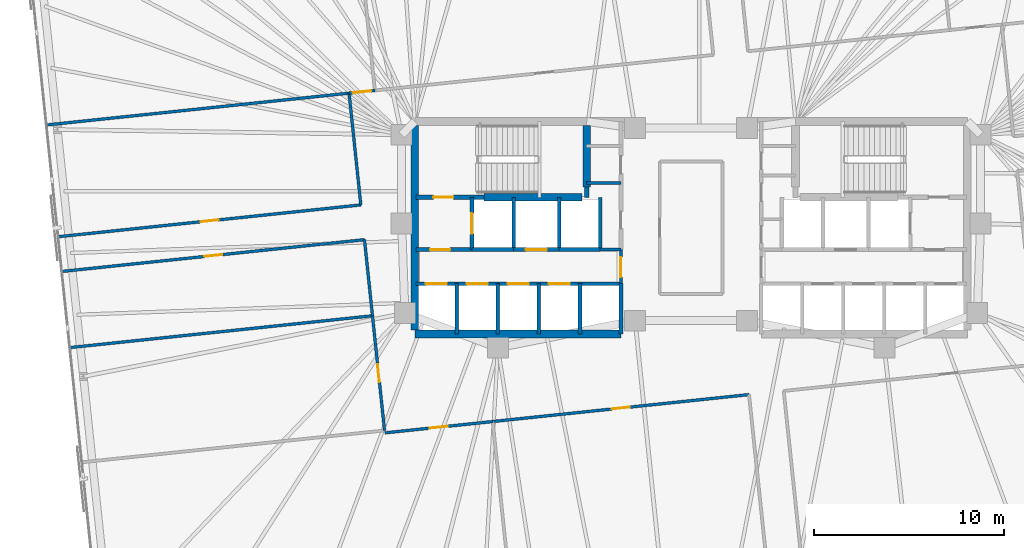
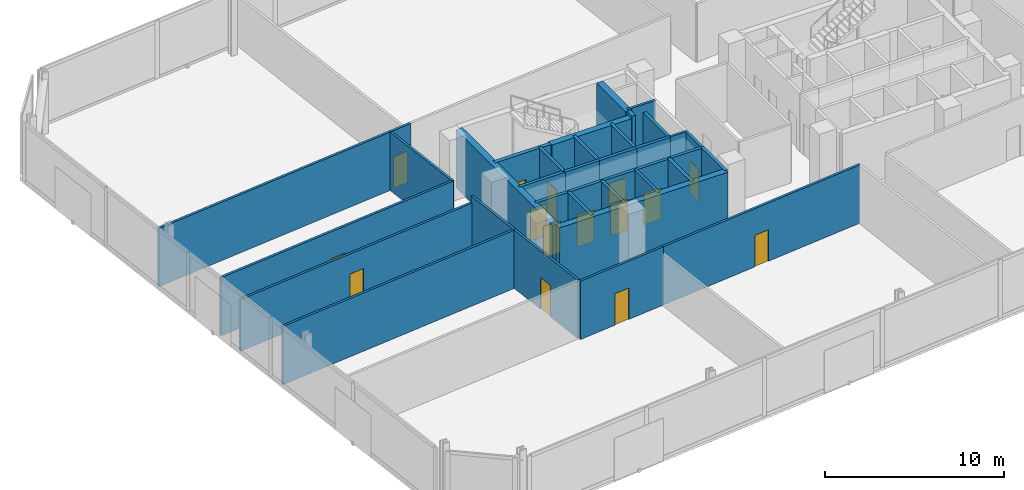
# One storey, part 12 of 16: 33 walls, 15 doors, 15 openings.
"""IFC4 building model written with IfcOpenShell, lengths in metres."""

from ifc_helpers import new_model, si_unit, direction, frame, frame_2d, origin, place, context, subcontext, project, spatial, rectangle, extrude, material, layer, layer_set, type_object, element, fill, save


model = new_model("IFC4")

# Units and contexts
model_context = context("Model", 3, precision=1e-05, world=origin(), true_north=direction((0.0, 1.0)))
body_context = subcontext(model_context, "Body", "Model", "MODEL_VIEW")
ifc_project = project(units=[si_unit("LENGTHUNIT", "METRE"), si_unit("AREAUNIT", "SQUARE_METRE"), si_unit("VOLUMEUNIT", "CUBIC_METRE"), si_unit("PLANEANGLEUNIT", "RADIAN"), si_unit("MASSUNIT", "GRAM", prefix="KILO")], contexts=[model_context])

# Site, building, storey
site_placement = place(None, origin())
site = spatial("IfcSite", under=ifc_project, at=site_placement, CompositionType="ELEMENT")
building_placement = place(site_placement, origin())
building = spatial("IfcBuilding", under=site, at=building_placement, Name="Menara Jurai Vektor", CompositionType="ELEMENT")
storey_placement = place(building_placement, frame((0.0, 0.0, 83.199951171875)))
storey = spatial("IfcBuildingStorey", under=building, at=storey_placement, Name="L20", CompositionType="ELEMENT", Elevation=83.199951171875)

# Wall, opening, door
ifc_material_1 = material(Name="Concrete C40/50", Category="concrete")
ifc_layer_1 = layer(ifc_material_1, 0.25)
ifc_layer_set_1 = layer_set([ifc_layer_1], Name="Concrete C40/50")
wall_type_1 = type_object("IfcWallType", Name="INT-WALL-CORE-250", PredefinedType="STANDARD", material=ifc_layer_set_1)
wall_1_placement = place(storey_placement, frame((-14.5, 1.60009765625, 0.0), z_axis=(0.0, 0.0, 1.0), x_axis=(1.0, 0.0, 0.0)))
wall_1 = element("IfcWall", 1, at=wall_1_placement, inside=storey, type_object=wall_type_1, Name="Interior Wall IW-250 L20", PredefinedType="STANDARD", context=body_context, shape_type="SweptSolid", body=[
    extrude(rectangle(XDim=3.60009765625, YDim=0.25, at=frame_2d((1.800048828125, 0.0))), origin(), (0.0, 0.0, 1.0), 3.97509765625),
])
opening_1_placement = place(wall_1_placement, frame((0.919921875, 0.0, 0.0)))
opening_1 = element("IfcOpeningElement", 2, at=opening_1_placement, cuts=wall_1, Name="Opening D-L20-ST1", PredefinedType="OPENING", context=body_context, shape_type="SweptSolid", body=[
    extrude(rectangle(XDim=1.050048828125, YDim=2.14990234375, at=frame_2d((0.52490234375, 1.074951171875))), frame((0.0, 0.135009765625, 0.0), z_axis=(0.0, -1.0, 0.0), x_axis=(1.0, 0.0, 0.0)), (0.0, 0.0, 1.0), 0.27001953125),
])
ifc_material_2 = material(Name="Fire-Rated Steel Door", Category="steel")
door_type_1 = type_object("IfcDoorType", Name="DR-STAIR-1050", OperationType="NOTDEFINED", PredefinedType="DOOR", material=ifc_material_2)
door_1_placement = place(opening_1_placement, origin())
door_1 = element("IfcDoor", 3, at=door_1_placement, inside=storey, type_object=door_type_1, Name="Exit Stair ST1 Door L20", OperationType="SINGLE_SWING_RIGHT", OverallHeight=2.14990234375, OverallWidth=1.050048828125, PredefinedType="DOOR", context=body_context, shape_type="SweptSolid", body=[
    extrude(rectangle(XDim=1.050048828125, YDim=2.14990234375, at=frame_2d((0.52490234375, 1.074951171875))), frame((0.0, 0.02490234375, 0.0), z_axis=(0.0, -1.0, 0.0), x_axis=(1.0, 0.0, 0.0)), (0.0, 0.0, 1.0), 0.050048828125),
])
fill(opening_1, door_1)

# Wall
wall_2_placement = place(storey_placement, frame((-5.5, 1.60009765625, 0.0), z_axis=(0.0, 0.0, 1.0), x_axis=(0.0, 1.0, 0.0)))
element("IfcWall", 4, at=wall_2_placement, inside=storey, type_object=wall_type_1, Name="Interior Wall IW-250 L20", PredefinedType="STANDARD", context=body_context, shape_type="SweptSolid", body=[
    extrude(rectangle(XDim=0.5498046875, YDim=0.25, at=frame_2d((0.27490234375, 0.0))), origin(), (0.0, 0.0, 1.0), 3.97509765625),
])

# Wall, opening, door
wall_3_placement = place(storey_placement, frame((-11.550048828125, -1.14990234375, 0.0), z_axis=(0.0, 0.0, 1.0), x_axis=(0.0, 1.0, 0.0)))
wall_3 = element("IfcWall", 5, at=wall_3_placement, inside=storey, type_object=wall_type_1, Name="Interior Wall IW-250 L20", PredefinedType="STANDARD", context=body_context, shape_type="SweptSolid", body=[
    extrude(rectangle(XDim=2.75, YDim=0.199951171875, at=frame_2d((1.375, 0.0))), origin(), (0.0, 0.0, 1.0), 3.97509765625),
])
opening_2_placement = place(wall_3_placement, frame((0.824951171875, 0.0, 0.0)))
opening_2 = element("IfcOpeningElement", 6, at=opening_2_placement, cuts=wall_3, Name="Opening LD-L20-FL1", PredefinedType="OPENING", context=body_context, shape_type="SweptSolid", body=[
    extrude(rectangle(XDim=1.10009765625, YDim=2.14990234375, at=frame_2d((0.550048828125, 1.074951171875))), frame((0.0, 0.10986328125, 0.0), z_axis=(0.0, -1.0, 0.0), x_axis=(1.0, 0.0, 0.0)), (0.0, 0.0, 1.0), 0.219970703125),
])
ifc_material_3 = material(Name="Stainless Steel Sliding Lift Landing Door", Category="steel")
door_type_2 = type_object("IfcDoorType", Name="DR-LIFT-FIRE-1100", OperationType="NOTDEFINED", PredefinedType="DOOR", material=ifc_material_3)
door_2_placement = place(opening_2_placement, origin())
door_2 = element("IfcDoor", 7, at=door_2_placement, inside=storey, type_object=door_type_2, Name="Lift Landing Door FL1 L20", OperationType="SLIDING_TO_RIGHT", OverallHeight=2.14990234375, OverallWidth=1.10009765625, PredefinedType="DOOR", context=body_context, shape_type="SweptSolid", body=[
    extrude(rectangle(XDim=1.10009765625, YDim=2.14990234375, at=frame_2d((0.550048828125, 1.074951171875))), frame((0.0, 0.02490234375, 0.0), z_axis=(0.0, -1.0, 0.0), x_axis=(1.0, 0.0, 0.0)), (0.0, 0.0, 1.0), 0.050048828125),
])
fill(opening_2, door_2)

# Wall
wall_4_placement = place(storey_placement, frame((-9.35009765625, -1.14990234375, 0.0), z_axis=(0.0, 0.0, 1.0), x_axis=(0.0, 1.0, 0.0)))
element("IfcWall", 8, at=wall_4_placement, inside=storey, type_object=wall_type_1, Name="Interior Wall IW-250 L20", PredefinedType="STANDARD", context=body_context, shape_type="SweptSolid", body=[
    extrude(rectangle(XDim=2.75, YDim=0.199951171875, at=frame_2d((1.375, 0.0))), origin(), (0.0, 0.0, 1.0), 3.97509765625),
])

# Wall, opening, door
wall_5_placement = place(storey_placement, frame((-14.5, -1.14990234375, 0.0), z_axis=(0.0, 0.0, 1.0), x_axis=(1.0, 0.0, 0.0)))
wall_5 = element("IfcWall", 9, at=wall_5_placement, inside=storey, type_object=wall_type_1, Name="Interior Wall IW-250 L20", PredefinedType="STANDARD", context=body_context, shape_type="SweptSolid", body=[
    extrude(rectangle(XDim=2.949951171875, YDim=0.199951171875, at=frame_2d((1.47509765625, 0.0))), origin(), (0.0, 0.0, 1.0), 3.97509765625),
])
opening_3_placement = place(wall_5_placement, frame((0.75, 0.0, 0.0)))
opening_3 = element("IfcOpeningElement", 10, at=opening_3_placement, cuts=wall_5, Name="Opening D-L20-FFW", PredefinedType="OPENING", context=body_context, shape_type="SweptSolid", body=[
    extrude(rectangle(XDim=1.050048828125, YDim=2.179931640625, at=frame_2d((0.52490234375, 1.08984375))), frame((0.0, 0.10986328125, 0.0), z_axis=(0.0, -1.0, 0.0), x_axis=(1.0, 0.0, 0.0)), (0.0, 0.0, 1.0), 0.219970703125),
])
ifc_material_4 = material(Name="Fire-Rated Timber Door", Category="wood")
door_type_3 = type_object("IfcDoorType", Name="DR-LOBBY-1050", OperationType="NOTDEFINED", PredefinedType="DOOR", material=ifc_material_4)
door_3_placement = place(opening_3_placement, origin())
door_3 = element("IfcDoor", 11, at=door_3_placement, inside=storey, type_object=door_type_3, Name="Fire Lift Lobby Door W L20", OperationType="SINGLE_SWING_RIGHT", OverallHeight=2.179931640625, OverallWidth=1.050048828125, PredefinedType="DOOR", context=body_context, shape_type="SweptSolid", body=[
    extrude(rectangle(XDim=1.050048828125, YDim=2.179931640625, at=frame_2d((0.52490234375, 1.08984375))), frame((0.0, 0.02490234375, 0.0), z_axis=(0.0, -1.0, 0.0), x_axis=(1.0, 0.0, 0.0)), (0.0, 0.0, 1.0), 0.050048828125),
])
fill(opening_3, door_3)

# Wall
wall_6_placement = place(storey_placement, frame((-11.550048828125, -1.14990234375, 0.0), z_axis=(0.0, 0.0, 1.0), x_axis=(1.0, 0.0, 0.0)))
element("IfcWall", 12, at=wall_6_placement, inside=storey, type_object=wall_type_1, Name="Interior Wall IW-250 L20", PredefinedType="STANDARD", context=body_context, shape_type="SweptSolid", body=[
    extrude(rectangle(XDim=2.199951171875, YDim=0.199951171875, at=frame_2d((1.10009765625, 0.0))), origin(), (0.0, 0.0, 1.0), 3.97509765625),
])

# Wall, opening, door
ifc_material_5 = material(Name="Gypsum Fireboard Partition", Category="gypsum")
ifc_layer_2 = layer(ifc_material_5, 0.14990234375)
ifc_layer_set_2 = layer_set([ifc_layer_2], Name="Gypsum Fireboard Partition")
wall_type_2 = type_object("IfcWallType", Name="INT-WALL-CORR-150", PredefinedType="PARTITIONING", material=ifc_layer_set_2)
wall_7_placement = place(storey_placement, frame((-3.699951171875, -2.949951171875, 0.0), z_axis=(0.0, 0.0, 1.0), x_axis=(0.0, 1.0, 0.0)))
wall_7 = element("IfcWall", 13, at=wall_7_placement, inside=storey, type_object=wall_type_2, Name="Interior Wall IW-150 L20", PredefinedType="PARTITIONING", context=body_context, shape_type="SweptSolid", body=[
    extrude(rectangle(XDim=1.800048828125, YDim=0.14990234375, at=frame_2d((0.89990234375, 0.0))), origin(), (0.0, 0.0, 1.0), 3.97509765625),
])
opening_4_placement = place(wall_7_placement, frame((0.35009765625, 0.0, 0.0)))
opening_4 = element("IfcOpeningElement", 14, at=opening_4_placement, cuts=wall_7, Name="Opening D-L20-LLW", PredefinedType="OPENING", context=body_context, shape_type="SweptSolid", body=[
    extrude(rectangle(XDim=1.050048828125, YDim=2.179931640625, at=frame_2d((0.52490234375, 1.08984375))), frame((0.0, 0.0849609375, 0.0), z_axis=(0.0, -1.0, 0.0), x_axis=(1.0, 0.0, 0.0)), (0.0, 0.0, 1.0), 0.169921875),
])
door_4_placement = place(opening_4_placement, origin())
door_4 = element("IfcDoor", 15, at=door_4_placement, inside=storey, type_object=door_type_3, Name="Lift Lobby Corridor Door W L20", OperationType="SINGLE_SWING_LEFT", OverallHeight=2.179931640625, OverallWidth=1.050048828125, PredefinedType="DOOR", context=body_context, shape_type="SweptSolid", body=[
    extrude(rectangle(XDim=1.050048828125, YDim=2.179931640625, at=frame_2d((0.52490234375, 1.08984375))), frame((0.0, 0.02490234375, 0.0), z_axis=(0.0, -1.0, 0.0), x_axis=(1.0, 0.0, 0.0)), (0.0, 0.0, 1.0), 0.050048828125),
])
fill(opening_4, door_4)

# Walls
wall_8_placement = place(storey_placement, frame((-4.7900390625, -1.14990234375, 0.0), z_axis=(0.0, 0.0, 1.0), x_axis=(1.0, 0.0, 0.0)))
element("IfcWall", 16, at=wall_8_placement, inside=storey, type_object=wall_type_2, Name="Interior Wall IW-150 L20", PredefinedType="PARTITIONING", context=body_context, shape_type="SweptSolid", body=[
    extrude(rectangle(XDim=1.090087890625, YDim=0.14990234375, at=frame_2d((0.544921875, 0.0))), origin(), (0.0, 0.0, 1.0), 3.97509765625),
])
wall_9_placement = place(storey_placement, frame((-5.5, 2.35009765625, 0.0), z_axis=(0.0, 0.0, 1.0), x_axis=(1.0, 0.0, 0.0)))
element("IfcWall", 17, at=wall_9_placement, inside=storey, type_object=wall_type_2, Name="Interior Wall IW-150 L20", PredefinedType="PARTITIONING", context=body_context, shape_type="SweptSolid", body=[
    extrude(rectangle(XDim=1.800048828125, YDim=0.14990234375, at=frame_2d((0.89990234375, 0.0))), origin(), (0.0, 0.0, 1.0), 3.97509765625),
])

# Wall, opening, door
wall_10_placement = place(storey_placement, frame((-18.021240234375, 7.09033203125, 0.0), z_axis=(0.0, 0.0, 1.0), x_axis=(0.994525986665, 0.104489529849, 0.0)))
wall_10 = element("IfcWall", 18, at=wall_10_placement, inside=storey, type_object=wall_type_2, Name="Interior Wall IW-150 L20", PredefinedType="PARTITIONING", context=body_context, shape_type="SweptSolid", body=[
    extrude(rectangle(XDim=1.366943359375, YDim=0.14990234375, at=frame_2d((0.68359375, 0.0))), origin(), (0.0, 0.0, 1.0), 3.97509765625),
])
opening_5_placement = place(wall_10_placement, frame((0.20849609375, 0.0, 0.0)))
opening_5 = element("IfcOpeningElement", 19, at=opening_5_placement, cuts=wall_10, Name="Opening D20-07", PredefinedType="OPENING", context=body_context, shape_type="SweptSolid", body=[
    extrude(rectangle(XDim=0.949951171875, YDim=2.14990234375, at=frame_2d((0.47509765625, 1.074951171875))), frame((0.0, 0.0849609375, 0.0), z_axis=(0.0, -1.0, 0.0), x_axis=(1.0, 0.0, 0.0)), (0.0, 0.0, 1.0), 0.169921875),
])
ifc_material_6 = material(Name="Solid Core Timber Fire Door", Category="wood")
door_type_4 = type_object("IfcDoorType", Name="DR-ENTRY-950", OperationType="NOTDEFINED", PredefinedType="DOOR", material=ifc_material_6)
door_5_placement = place(opening_5_placement, origin())
door_5 = element("IfcDoor", 20, at=door_5_placement, inside=storey, type_object=door_type_4, Name="Interior Door D20-07", OperationType="SINGLE_SWING_RIGHT", OverallHeight=2.14990234375, OverallWidth=0.949951171875, PredefinedType="DOOR", context=body_context, shape_type="SweptSolid", body=[
    extrude(rectangle(XDim=0.949951171875, YDim=2.14990234375, at=frame_2d((0.47509765625, 1.074951171875))), frame((0.0, 0.02490234375, 0.0), z_axis=(0.0, -1.0, 0.0), x_axis=(1.0, 0.0, 0.0)), (0.0, 0.0, 1.0), 0.050048828125),
])
fill(opening_5, door_5)

wall_11_placement = place(storey_placement, frame((-16.139892578125, -10.80908203125, 0.0), z_axis=(0.0, 0.0, 1.0), x_axis=(0.994520418841, 0.104542510534, 0.0)))
wall_11 = element("IfcWall", 21, at=wall_11_placement, inside=storey, type_object=wall_type_2, Name="Interior Wall IW-150 L20", PredefinedType="PARTITIONING", context=body_context, shape_type="SweptSolid", body=[
    extrude(rectangle(XDim=5.716796875, YDim=0.14990234375, at=frame_2d((2.8583984375, 0.0))), origin(), (0.0, 0.0, 1.0), 3.97509765625),
])
opening_6_placement = place(wall_11_placement, frame((2.383544921875, 0.0, 0.0)))
opening_6 = element("IfcOpeningElement", 22, at=opening_6_placement, cuts=wall_11, Name="Opening D20-11", PredefinedType="OPENING", context=body_context, shape_type="SweptSolid", body=[
    extrude(rectangle(XDim=0.949951171875, YDim=2.14990234375, at=frame_2d((0.47509765625, 1.074951171875))), frame((0.0, 0.0849609375, 0.0), z_axis=(0.0, -1.0, 0.0), x_axis=(1.0, 0.0, 0.0)), (0.0, 0.0, 1.0), 0.169921875),
])
door_6_placement = place(opening_6_placement, origin())
door_6 = element("IfcDoor", 23, at=door_6_placement, inside=storey, type_object=door_type_4, Name="Interior Door D20-11", OperationType="SINGLE_SWING_RIGHT", OverallHeight=2.14990234375, OverallWidth=0.949951171875, PredefinedType="DOOR", context=body_context, shape_type="SweptSolid", body=[
    extrude(rectangle(XDim=0.949951171875, YDim=2.14990234375, at=frame_2d((0.47509765625, 1.074951171875))), frame((0.0, 0.02490234375, 0.0), z_axis=(0.0, -1.0, 0.0), x_axis=(1.0, 0.0, 0.0)), (0.0, 0.0, 1.0), 0.050048828125),
])
fill(opening_6, door_6)

wall_12_placement = place(storey_placement, frame((-10.454345703125, -10.21142578125, 0.0), z_axis=(0.0, 0.0, 1.0), x_axis=(0.9945223835, 0.104523818899, 0.0)))
wall_12 = element("IfcWall", 24, at=wall_12_placement, inside=storey, type_object=wall_type_2, Name="Interior Wall IW-150 L20", PredefinedType="PARTITIONING", context=body_context, shape_type="SweptSolid", body=[
    extrude(rectangle(XDim=13.580078125, YDim=0.14990234375, at=frame_2d((6.7900390625, 0.0))), origin(), (0.0, 0.0, 1.0), 3.97509765625),
])
opening_7_placement = place(wall_12_placement, frame((6.31494140625, 0.0, 0.0)))
opening_7 = element("IfcOpeningElement", 25, at=opening_7_placement, cuts=wall_12, Name="Opening D20-12", PredefinedType="OPENING", context=body_context, shape_type="SweptSolid", body=[
    extrude(rectangle(XDim=0.949951171875, YDim=2.14990234375, at=frame_2d((0.47509765625, 1.074951171875))), frame((0.0, 0.0849609375, 0.0), z_axis=(0.0, -1.0, 0.0), x_axis=(1.0, 0.0, 0.0)), (0.0, 0.0, 1.0), 0.169921875),
])
door_7_placement = place(opening_7_placement, origin())
door_7 = element("IfcDoor", 26, at=door_7_placement, inside=storey, type_object=door_type_4, Name="Interior Door D20-12", OperationType="SINGLE_SWING_LEFT", OverallHeight=2.14990234375, OverallWidth=0.949951171875, PredefinedType="DOOR", context=body_context, shape_type="SweptSolid", body=[
    extrude(rectangle(XDim=0.949951171875, YDim=2.14990234375, at=frame_2d((0.47509765625, 1.074951171875))), frame((0.0, 0.02490234375, 0.0), z_axis=(0.0, -1.0, 0.0), x_axis=(1.0, 0.0, 0.0)), (0.0, 0.0, 1.0), 0.050048828125),
])
fill(opening_7, door_7)

wall_13_placement = place(storey_placement, frame((-16.1533203125, -10.681884765625, 0.0), z_axis=(0.0, 0.0, 1.0), x_axis=(-0.104550920346, 0.994519534778, 0.0)))
wall_13 = element("IfcWall", 27, at=wall_13_placement, inside=storey, type_object=wall_type_2, Name="Interior Wall IW-150 L20", PredefinedType="PARTITIONING", context=body_context, shape_type="SweptSolid", body=[
    extrude(rectangle(XDim=6.075927734375, YDim=0.14990234375, at=frame_2d((3.0380859375, 0.0))), origin(), (0.0, 0.0, 1.0), 3.97509765625),
])
opening_8_placement = place(wall_13_placement, frame((2.56298828125, 0.0, 0.0)))
opening_8 = element("IfcOpeningElement", 28, at=opening_8_placement, cuts=wall_13, Name="Opening D20-14", PredefinedType="OPENING", context=body_context, shape_type="SweptSolid", body=[
    extrude(rectangle(XDim=0.949951171875, YDim=2.14990234375, at=frame_2d((0.47509765625, 1.074951171875))), frame((0.0, 0.0849609375, 0.0), z_axis=(0.0, -1.0, 0.0), x_axis=(1.0, 0.0, 0.0)), (0.0, 0.0, 1.0), 0.169921875),
])
door_8_placement = place(opening_8_placement, origin())
door_8 = element("IfcDoor", 29, at=door_8_placement, inside=storey, type_object=door_type_4, Name="Interior Door D20-14", OperationType="SINGLE_SWING_LEFT", OverallHeight=2.14990234375, OverallWidth=0.949951171875, PredefinedType="DOOR", context=body_context, shape_type="SweptSolid", body=[
    extrude(rectangle(XDim=0.949951171875, YDim=2.14990234375, at=frame_2d((0.47509765625, 1.074951171875))), frame((0.0, 0.02490234375, 0.0), z_axis=(0.0, -1.0, 0.0), x_axis=(1.0, 0.0, 0.0)), (0.0, 0.0, 1.0), 0.050048828125),
])
fill(opening_8, door_8)

# Wall
wall_14_placement = place(storey_placement, frame((-16.78857421875, -4.63916015625, 0.0), z_axis=(0.0, 0.0, 1.0), x_axis=(-0.104542983594, 0.994520369113, 0.0)))
element("IfcWall", 30, at=wall_14_placement, inside=storey, type_object=wall_type_2, Name="Interior Wall IW-150 L20", PredefinedType="PARTITIONING", context=body_context, shape_type="SweptSolid", body=[
    extrude(rectangle(XDim=4.033203125, YDim=0.14990234375, at=frame_2d((2.0166015625, 0.0))), origin(), (0.0, 0.0, 1.0), 3.97509765625),
])

# Wall, opening, door
wall_15_placement = place(storey_placement, frame((-33.34765625, -0.47412109375, 0.0), z_axis=(0.0, 0.0, 1.0), x_axis=(0.994522794159, 0.104519911488, 0.0)))
wall_15 = element("IfcWall", 31, at=wall_15_placement, inside=storey, type_object=wall_type_2, Name="Interior Wall IW-150 L20", PredefinedType="PARTITIONING", context=body_context, shape_type="SweptSolid", body=[
    extrude(rectangle(XDim=16.033203125, YDim=0.14990234375, at=frame_2d((8.0166015625, 0.0))), origin(), (0.0, 0.0, 1.0), 3.97509765625),
])
opening_9_placement = place(wall_15_placement, frame((7.54150390625, 0.0, 0.0)))
opening_9 = element("IfcOpeningElement", 32, at=opening_9_placement, cuts=wall_15, Name="Opening D20-16", PredefinedType="OPENING", context=body_context, shape_type="SweptSolid", body=[
    extrude(rectangle(XDim=0.949951171875, YDim=2.14990234375, at=frame_2d((0.47509765625, 1.074951171875))), frame((0.0, 0.0849609375, 0.0), z_axis=(0.0, -1.0, 0.0), x_axis=(1.0, 0.0, 0.0)), (0.0, 0.0, 1.0), 0.169921875),
])
door_9_placement = place(opening_9_placement, origin())
door_9 = element("IfcDoor", 33, at=door_9_placement, inside=storey, type_object=door_type_4, Name="Interior Door D20-16", OperationType="SINGLE_SWING_LEFT", OverallHeight=2.14990234375, OverallWidth=0.949951171875, PredefinedType="DOOR", context=body_context, shape_type="SweptSolid", body=[
    extrude(rectangle(XDim=0.949951171875, YDim=2.14990234375, at=frame_2d((0.47509765625, 1.074951171875))), frame((0.0, 0.02490234375, 0.0), z_axis=(0.0, -1.0, 0.0), x_axis=(1.0, 0.0, 0.0)), (0.0, 0.0, 1.0), 0.050048828125),
])
fill(opening_9, door_9)

# Walls
wall_16_placement = place(storey_placement, frame((-17.40234375, 1.20166015625, 0.0), z_axis=(0.0, 0.0, 1.0), x_axis=(-0.104523807841, 0.994522384662, 0.0)))
element("IfcWall", 34, at=wall_16_placement, inside=storey, type_object=wall_type_2, Name="Interior Wall IW-150 L20", PredefinedType="PARTITIONING", context=body_context, shape_type="SweptSolid", body=[
    extrude(rectangle(XDim=5.921142578125, YDim=0.14990234375, at=frame_2d((2.96044921875, 0.0))), origin(), (0.0, 0.0, 1.0), 3.97509765625),
])
wall_17_placement = place(storey_placement, frame((-33.966552734375, 5.414306640625, 0.0), z_axis=(0.0, 0.0, 1.0), x_axis=(0.994521211213, 0.104534972363, 0.0)))
element("IfcWall", 35, at=wall_17_placement, inside=storey, type_object=wall_type_2, Name="Interior Wall IW-150 L20", PredefinedType="PARTITIONING", context=body_context, shape_type="SweptSolid", body=[
    extrude(rectangle(XDim=16.033203125, YDim=0.14990234375, at=frame_2d((8.0166015625, 0.0))), origin(), (0.0, 0.0, 1.0), 3.97509765625),
])
wall_18_placement = place(storey_placement, frame((-32.733642578125, -6.31494140625, 0.0), z_axis=(0.0, 0.0, 1.0), x_axis=(0.994522627807, 0.104521494347, 0.0)))
element("IfcWall", 36, at=wall_18_placement, inside=storey, type_object=wall_type_2, Name="Interior Wall IW-150 L20", PredefinedType="PARTITIONING", context=body_context, shape_type="SweptSolid", body=[
    extrude(rectangle(XDim=16.032958984375, YDim=0.14990234375, at=frame_2d((8.0166015625, 0.0))), origin(), (0.0, 0.0, 1.0), 3.97509765625),
])

# Wall, opening, door
ifc_layer_3 = layer(ifc_material_5, 0.14990234375)
ifc_layer_set_3 = layer_set([ifc_layer_3], Name="Gypsum Fireboard Partition")
wall_type_3 = type_object("IfcWallType", Name="INT-WALL-CORR-150-H1", PredefinedType="PARTITIONING", material=ifc_layer_set_3)
wall_19_placement = place(storey_placement, frame((-33.1552734375, -2.30419921875, 0.0), z_axis=(0.0, 0.0, 1.0), x_axis=(0.994521044813, 0.104536555445, 0.0)))
wall_19 = element("IfcWall", 37, at=wall_19_placement, inside=storey, type_object=wall_type_3, Name="Interior Wall IW-150 L20", PredefinedType="PARTITIONING", context=body_context, shape_type="SweptSolid", body=[
    extrude(rectangle(XDim=16.032958984375, YDim=0.14990234375, at=frame_2d((8.0166015625, 0.0))), origin(), (0.0, 0.0, 1.0), 3.525146484375),
])
opening_10_placement = place(wall_19_placement, frame((7.54150390625, 0.0, 0.0)))
opening_10 = element("IfcOpeningElement", 38, at=opening_10_placement, cuts=wall_19, Name="Opening D20-15", PredefinedType="OPENING", context=body_context, shape_type="SweptSolid", body=[
    extrude(rectangle(XDim=0.949951171875, YDim=2.14990234375, at=frame_2d((0.47509765625, 1.074951171875))), frame((0.0, 0.0849609375, 0.0), z_axis=(0.0, -1.0, 0.0), x_axis=(1.0, 0.0, 0.0)), (0.0, 0.0, 1.0), 0.169921875),
])
door_10_placement = place(opening_10_placement, origin())
door_10 = element("IfcDoor", 39, at=door_10_placement, inside=storey, type_object=door_type_4, Name="Interior Door D20-15", OperationType="SINGLE_SWING_RIGHT", OverallHeight=2.14990234375, OverallWidth=0.949951171875, PredefinedType="DOOR", context=body_context, shape_type="SweptSolid", body=[
    extrude(rectangle(XDim=0.949951171875, YDim=2.14990234375, at=frame_2d((0.47509765625, 1.074951171875))), frame((0.0, 0.02490234375, 0.0), z_axis=(0.0, -1.0, 0.0), x_axis=(1.0, 0.0, 0.0)), (0.0, 0.0, 1.0), 0.050048828125),
])
fill(opening_10, door_10)

# Walls
ifc_layer_4 = layer(ifc_material_1, 0.199951171875)
ifc_layer_set_4 = layer_set([ifc_layer_4], Name="Concrete C40/50")
wall_type_4 = type_object("IfcWallType", Name="INT-WALL-SHAFT-200", PredefinedType="STANDARD", material=ifc_layer_set_4)
wall_20_placement = place(storey_placement, frame((-3.699951171875, -5.60009765625, 0.0), z_axis=(0.0, 0.0, 1.0), x_axis=(0.0, 1.0, 0.0)))
element("IfcWall", 40, at=wall_20_placement, inside=storey, type_object=wall_type_4, Name="Interior Wall IW-200 L20", PredefinedType="STANDARD", context=body_context, shape_type="SweptSolid", body=[
    extrude(rectangle(XDim=2.650146484375, YDim=0.199951171875, at=frame_2d((1.3251953125, 0.0))), origin(), (0.0, 0.0, 1.0), 3.97509765625),
])
wall_21_placement = place(storey_placement, frame((-6.949951171875, -1.14990234375, 0.0), z_axis=(0.0, 0.0, 1.0), x_axis=(0.0, 1.0, 0.0)))
element("IfcWall", 41, at=wall_21_placement, inside=storey, type_object=wall_type_4, Name="Interior Wall IW-200 L20", PredefinedType="STANDARD", context=body_context, shape_type="SweptSolid", body=[
    extrude(rectangle(XDim=2.75, YDim=0.199951171875, at=frame_2d((1.375, 0.0))), origin(), (0.0, 0.0, 1.0), 3.97509765625),
])

# Wall, opening, door
wall_22_placement = place(storey_placement, frame((-9.35009765625, -1.14990234375, 0.0), z_axis=(0.0, 0.0, 1.0), x_axis=(1.0, 0.0, 0.0)))
wall_22 = element("IfcWall", 42, at=wall_22_placement, inside=storey, type_object=wall_type_4, Name="Interior Wall IW-200 L20", PredefinedType="STANDARD", context=body_context, shape_type="SweptSolid", body=[
    extrude(rectangle(XDim=2.400146484375, YDim=0.199951171875, at=frame_2d((1.2001953125, 0.0))), origin(), (0.0, 0.0, 1.0), 3.97509765625),
])
opening_11_placement = place(wall_22_placement, frame((0.64990234375, 0.0, 0.0)))
opening_11 = element("IfcOpeningElement", 43, at=opening_11_placement, cuts=wall_22, Name="Opening LD-L20-SVL1", PredefinedType="OPENING", context=body_context, shape_type="SweptSolid", body=[
    extrude(rectangle(XDim=1.10009765625, YDim=2.14990234375, at=frame_2d((0.550048828125, 1.074951171875))), frame((0.0, 0.10986328125, 0.0), z_axis=(0.0, -1.0, 0.0), x_axis=(1.0, 0.0, 0.0)), (0.0, 0.0, 1.0), 0.219970703125),
])
ifc_material_7 = material(Name="Anodised Stainless Sliding Lift Landing Door", Category="steel")
door_type_5 = type_object("IfcDoorType", Name="DR-LIFT-PASS-1100", OperationType="NOTDEFINED", PredefinedType="DOOR", material=ifc_material_7)
door_11_placement = place(opening_11_placement, origin())
door_11 = element("IfcDoor", 44, at=door_11_placement, inside=storey, type_object=door_type_5, Name="Lift Landing Door SVL1 L20", OperationType="SLIDING_TO_RIGHT", OverallHeight=2.14990234375, OverallWidth=1.10009765625, PredefinedType="DOOR", context=body_context, shape_type="SweptSolid", body=[
    extrude(rectangle(XDim=1.10009765625, YDim=2.14990234375, at=frame_2d((0.550048828125, 1.074951171875))), frame((0.0, 0.02490234375, 0.0), z_axis=(0.0, -1.0, 0.0), x_axis=(1.0, 0.0, 0.0)), (0.0, 0.0, 1.0), 0.050048828125),
])
fill(opening_11, door_11)

# Walls
wall_23_placement = place(storey_placement, frame((-4.7900390625, -1.14990234375, 0.0), z_axis=(0.0, 0.0, 1.0), x_axis=(0.0, 1.0, 0.0)))
element("IfcWall", 45, at=wall_23_placement, inside=storey, type_object=wall_type_4, Name="Interior Wall IW-200 L20", PredefinedType="STANDARD", context=body_context, shape_type="SweptSolid", body=[
    extrude(rectangle(XDim=2.75, YDim=0.199951171875, at=frame_2d((1.375, 0.0))), origin(), (0.0, 0.0, 1.0), 3.97509765625),
])
wall_24_placement = place(storey_placement, frame((-6.949951171875, -1.14990234375, 0.0), z_axis=(0.0, 0.0, 1.0), x_axis=(1.0, 0.0, 0.0)))
element("IfcWall", 46, at=wall_24_placement, inside=storey, type_object=wall_type_4, Name="Interior Wall IW-200 L20", PredefinedType="STANDARD", context=body_context, shape_type="SweptSolid", body=[
    extrude(rectangle(XDim=2.159912109375, YDim=0.199951171875, at=frame_2d((1.080078125, 0.0))), origin(), (0.0, 0.0, 1.0), 3.97509765625),
])

# Wall, openings, doors
wall_25_placement = place(storey_placement, frame((-14.5, -2.949951171875, 0.0), z_axis=(0.0, 0.0, 1.0), x_axis=(1.0, 0.0, 0.0)))
wall_25 = element("IfcWall", 47, at=wall_25_placement, inside=storey, type_object=wall_type_4, Name="Interior Wall IW-200 L20", PredefinedType="STANDARD", context=body_context, shape_type="SweptSolid", body=[
    extrude(rectangle(XDim=10.800048828125, YDim=0.199951171875, at=frame_2d((5.39990234375, 0.0))), origin(), (0.0, 0.0, 1.0), 3.97509765625),
])
opening_12_placement = place(wall_25_placement, frame((0.530029296875, 0.0, 0.0)))
opening_12 = element("IfcOpeningElement", 48, at=opening_12_placement, cuts=wall_25, Name="Opening LD-L20-PL1", PredefinedType="OPENING", context=body_context, shape_type="SweptSolid", body=[
    extrude(rectangle(XDim=1.10009765625, YDim=2.14990234375, at=frame_2d((0.550048828125, 1.074951171875))), frame((0.0, 0.10986328125, 0.0), z_axis=(0.0, -1.0, 0.0), x_axis=(1.0, 0.0, 0.0)), (0.0, 0.0, 1.0), 0.219970703125),
])
opening_13_placement = place(wall_25_placement, frame((2.68994140625, 0.0, 0.0)))
opening_13 = element("IfcOpeningElement", 49, at=opening_13_placement, cuts=wall_25, Name="Opening LD-L20-PL2", PredefinedType="OPENING", context=body_context, shape_type="SweptSolid", body=[
    extrude(rectangle(XDim=1.10009765625, YDim=2.14990234375, at=frame_2d((0.550048828125, 1.074951171875))), frame((0.0, 0.10986328125, 0.0), z_axis=(0.0, -1.0, 0.0), x_axis=(1.0, 0.0, 0.0)), (0.0, 0.0, 1.0), 0.219970703125),
])
opening_14_placement = place(wall_25_placement, frame((4.85009765625, 0.0, 0.0)))
opening_14 = element("IfcOpeningElement", 50, at=opening_14_placement, cuts=wall_25, Name="Opening LD-L20-PM1", PredefinedType="OPENING", context=body_context, shape_type="SweptSolid", body=[
    extrude(rectangle(XDim=1.10009765625, YDim=2.14990234375, at=frame_2d((0.550048828125, 1.074951171875))), frame((0.0, 0.10986328125, 0.0), z_axis=(0.0, -1.0, 0.0), x_axis=(1.0, 0.0, 0.0)), (0.0, 0.0, 1.0), 0.219970703125),
])
opening_15_placement = place(wall_25_placement, frame((7.010009765625, 0.0, 0.0)))
opening_15 = element("IfcOpeningElement", 51, at=opening_15_placement, cuts=wall_25, Name="Opening LD-L20-PM2", PredefinedType="OPENING", context=body_context, shape_type="SweptSolid", body=[
    extrude(rectangle(XDim=1.10009765625, YDim=2.14990234375, at=frame_2d((0.550048828125, 1.074951171875))), frame((0.0, 0.10986328125, 0.0), z_axis=(0.0, -1.0, 0.0), x_axis=(1.0, 0.0, 0.0)), (0.0, 0.0, 1.0), 0.219970703125),
])
door_12_placement = place(opening_12_placement, origin())
door_12 = element("IfcDoor", 52, at=door_12_placement, inside=storey, type_object=door_type_5, Name="Lift Landing Door PL1 L20", OperationType="SLIDING_TO_RIGHT", OverallHeight=2.14990234375, OverallWidth=1.10009765625, PredefinedType="DOOR", context=body_context, shape_type="SweptSolid", body=[
    extrude(rectangle(XDim=1.10009765625, YDim=2.14990234375, at=frame_2d((0.550048828125, 1.074951171875))), frame((0.0, 0.02490234375, 0.0), z_axis=(0.0, -1.0, 0.0), x_axis=(1.0, 0.0, 0.0)), (0.0, 0.0, 1.0), 0.050048828125),
])
fill(opening_12, door_12)
door_13_placement = place(opening_13_placement, origin())
door_13 = element("IfcDoor", 53, at=door_13_placement, inside=storey, type_object=door_type_5, Name="Lift Landing Door PL2 L20", OperationType="SLIDING_TO_RIGHT", OverallHeight=2.14990234375, OverallWidth=1.10009765625, PredefinedType="DOOR", context=body_context, shape_type="SweptSolid", body=[
    extrude(rectangle(XDim=1.10009765625, YDim=2.14990234375, at=frame_2d((0.550048828125, 1.074951171875))), frame((0.0, 0.02490234375, 0.0), z_axis=(0.0, -1.0, 0.0), x_axis=(1.0, 0.0, 0.0)), (0.0, 0.0, 1.0), 0.050048828125),
])
fill(opening_13, door_13)
door_14_placement = place(opening_14_placement, origin())
door_14 = element("IfcDoor", 54, at=door_14_placement, inside=storey, type_object=door_type_5, Name="Lift Landing Door PM1 L20", OperationType="SLIDING_TO_LEFT", OverallHeight=2.14990234375, OverallWidth=1.10009765625, PredefinedType="DOOR", context=body_context, shape_type="SweptSolid", body=[
    extrude(rectangle(XDim=1.10009765625, YDim=2.14990234375, at=frame_2d((0.550048828125, 1.074951171875))), frame((0.0, 0.02490234375, 0.0), z_axis=(0.0, -1.0, 0.0), x_axis=(1.0, 0.0, 0.0)), (0.0, 0.0, 1.0), 0.050048828125),
])
fill(opening_14, door_14)
door_15_placement = place(opening_15_placement, origin())
door_15 = element("IfcDoor", 55, at=door_15_placement, inside=storey, type_object=door_type_5, Name="Lift Landing Door PM2 L20", OperationType="SLIDING_TO_LEFT", OverallHeight=2.14990234375, OverallWidth=1.10009765625, PredefinedType="DOOR", context=body_context, shape_type="SweptSolid", body=[
    extrude(rectangle(XDim=1.10009765625, YDim=2.14990234375, at=frame_2d((0.550048828125, 1.074951171875))), frame((0.0, 0.02490234375, 0.0), z_axis=(0.0, -1.0, 0.0), x_axis=(1.0, 0.0, 0.0)), (0.0, 0.0, 1.0), 0.050048828125),
])
fill(opening_15, door_15)

# Walls
wall_26_placement = place(storey_placement, frame((-5.860107421875, -5.60009765625, 0.0), z_axis=(0.0, 0.0, 1.0), x_axis=(0.0, 1.0, 0.0)))
element("IfcWall", 56, at=wall_26_placement, inside=storey, type_object=wall_type_4, Name="Interior Wall IW-200 L20", PredefinedType="STANDARD", context=body_context, shape_type="SweptSolid", body=[
    extrude(rectangle(XDim=2.650146484375, YDim=0.199951171875, at=frame_2d((1.3251953125, 0.0))), origin(), (0.0, 0.0, 1.0), 3.97509765625),
])
for number, where, z_axis, x_axis, name in (
    (57, (-12.340087890625, -5.60009765625, 0.0), (0.0, 0.0, 1.0), (0.0, 1.0, 0.0), "Interior Wall IW-200 L20"),
    (58, (-10.179931640625, -5.60009765625, 0.0), (0.0, 0.0, 1.0), (0.0, 1.0, 0.0), "Interior Wall IW-200 L20"),
    (59, (-8.02001953125, -5.60009765625, 0.0), (0.0, 0.0, 1.0), (0.0, 1.0, 0.0), "Interior Wall IW-200 L20"),
):
    element("IfcWall", number, at=place(storey_placement, frame(where, z_axis=z_axis, x_axis=x_axis)), inside=storey, type_object=wall_type_4, Name=name, PredefinedType="STANDARD", context=body_context, shape_type="SweptSolid", body=[
        extrude(rectangle(XDim=2.650146484375, YDim=0.179931640625, at=frame_2d((1.3251953125, 0.0))), origin(), (0.0, 0.0, 1.0), 3.97509765625),
    ])
ifc_material_8 = material(Name="Concrete C50/60", Category="concrete")
ifc_layer_5 = layer(ifc_material_8, 0.39990234375)
ifc_layer_set_5 = layer_set([ifc_layer_5], Name="Concrete C50/60")
wall_type_5 = type_object("IfcWallType", Name="STR-WALL-CORE400", PredefinedType="SHEAR", material=ifc_layer_set_5)
wall_27_placement = place(storey_placement, frame((-14.56005859375, -5.60009765625, 0.0), z_axis=(0.0, 0.0, 1.0), x_axis=(1.0, 0.0, 0.0)))
element("IfcWall", 60, at=wall_27_placement, inside=storey, type_object=wall_type_5, Name="Core Shear Wall CW-W-S L20", PredefinedType="SHEAR", context=body_context, shape_type="SweptSolid", body=[
    extrude(rectangle(XDim=10.860107421875, YDim=0.39990234375, at=frame_2d((5.43017578125, 0.0))), origin(), (0.0, 0.0, 1.0), 3.97509765625),
])
wall_28_placement = place(storey_placement, frame((-14.56005859375, -5.39990234375, 0.0), z_axis=(0.0, 0.0, 1.0), x_axis=(0.0, 1.0, 0.0)))
element("IfcWall", 61, at=wall_28_placement, inside=storey, type_object=wall_type_5, Name="Core Shear Wall CW-W-W L20", PredefinedType="SHEAR", context=body_context, shape_type="SweptSolid", body=[
    extrude(rectangle(XDim=10.7998046875, YDim=0.39990234375, at=frame_2d((5.39990234375, 0.0))), origin(), (0.0, 0.0, 1.0), 3.97509765625),
])
wall_29_placement = place(storey_placement, frame((-5.5, 2.14990234375, 0.0), z_axis=(0.0, 0.0, 1.0), x_axis=(0.0, 1.0, 0.0)))
element("IfcWall", 62, at=wall_29_placement, inside=storey, type_object=wall_type_5, Name="Core Shear Wall CW-W-ST L20", PredefinedType="SHEAR", context=body_context, shape_type="SweptSolid", body=[
    extrude(rectangle(XDim=3.25, YDim=0.39990234375, at=frame_2d((1.625, 0.0))), origin(), (0.0, 0.0, 1.0), 3.97509765625),
])
wall_30_placement = place(storey_placement, frame((-10.89990234375, 1.60009765625, 0.0), z_axis=(0.0, 0.0, 1.0), x_axis=(1.0, 0.0, 0.0)))
element("IfcWall", 63, at=wall_30_placement, inside=storey, type_object=wall_type_5, Name="Core Shear Wall CW-W-STS L20", PredefinedType="SHEAR", context=body_context, shape_type="SweptSolid", body=[
    extrude(rectangle(XDim=5.14990234375, YDim=0.39990234375, at=frame_2d((2.574951171875, 0.0))), origin(), (0.0, 0.0, 1.0), 3.97509765625),
])

save(model, "model.ifc")
